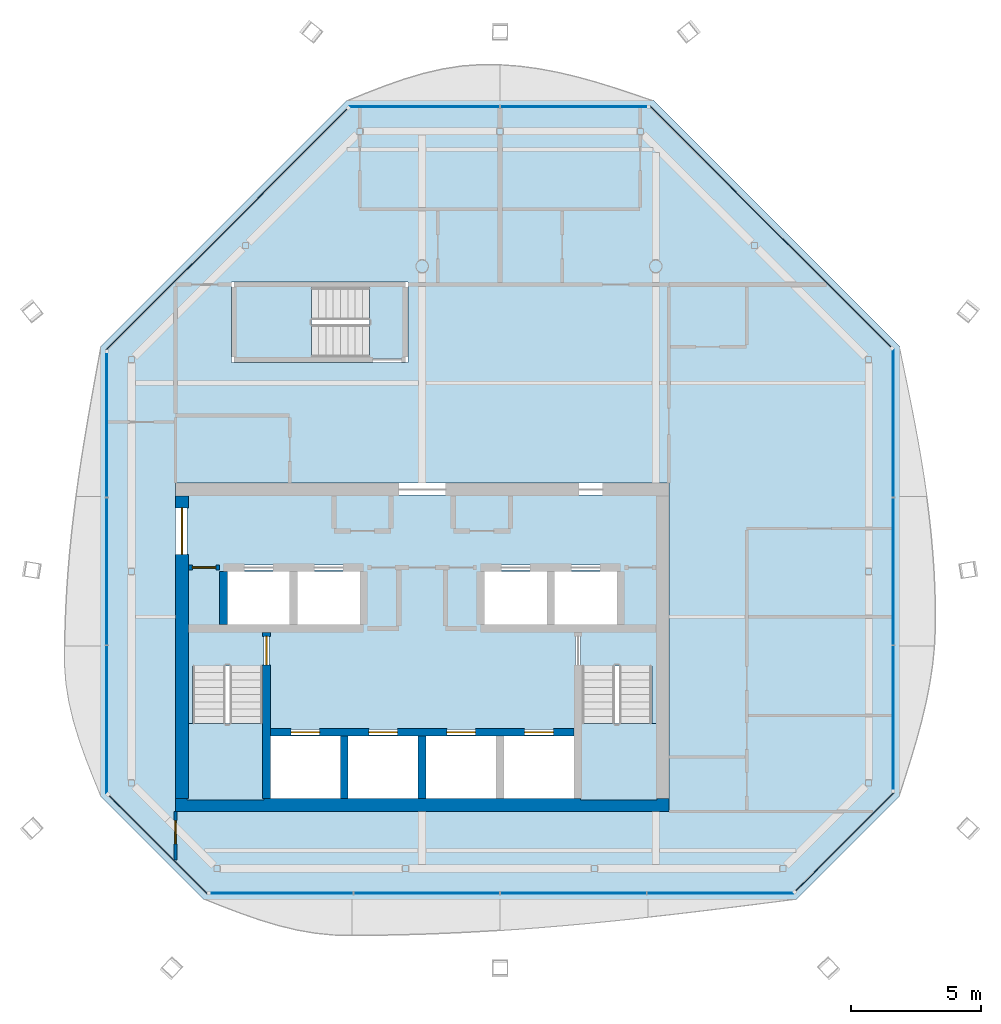
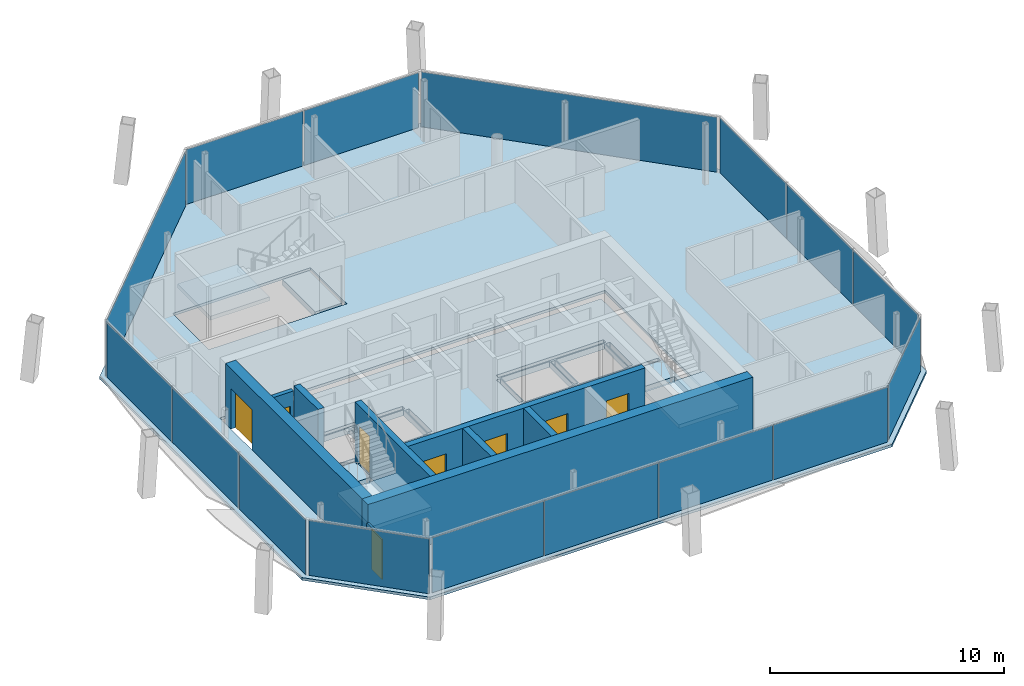
# One storey, part 8 of 13: 16 plates, 9 walls, 8 doors, 6 slabs, 8 openings, 11 elements without a shape of their own.
"""IFC4 building model written with IfcOpenShell, lengths in metres."""

from ifc_helpers import new_model, si_unit, direction, frame, frame_2d, origin, origin_2d, place, context, subcontext, project, spatial, polyline, rectangle, outline, extrude, material, layer, layer_set, type_object, element, fill, aggregate, save


model = new_model("IFC4")

# Units and contexts
model_context = context("Model", 3, precision=1e-05, world=origin(), true_north=direction((0.0, 1.0)))
body_context = subcontext(model_context, "Body", "Model", "MODEL_VIEW")
ifc_project = project(units=[si_unit("LENGTHUNIT", "METRE"), si_unit("AREAUNIT", "SQUARE_METRE"), si_unit("VOLUMEUNIT", "CUBIC_METRE"), si_unit("PLANEANGLEUNIT", "RADIAN"), si_unit("MASSUNIT", "GRAM", prefix="KILO")], contexts=[model_context])

# Site, building, storey
site_placement = place(None, origin())
site = spatial("IfcSite", under=ifc_project, at=site_placement, CompositionType="ELEMENT")
building_placement = place(site_placement, origin())
building = spatial("IfcBuilding", under=site, at=building_placement, Name="Tskaro Facet Tower", CompositionType="ELEMENT")
storey_placement = place(building_placement, frame((0.0, 0.0, 291.0)))
storey = spatial("IfcBuildingStorey", under=building, at=storey_placement, Name="L78", CompositionType="ELEMENT", Elevation=291.0)

# Slab
ifc_material_1 = material(Name="Concrete C30/37", Category="concrete")
ifc_layer_1 = layer(ifc_material_1, 0.139892578125, Name="Concrete C30/37")
ifc_layer_set_1 = layer_set([ifc_layer_1], Name="Concrete C30/37")
slab_type_1 = type_object("IfcSlabType", Name="Composite deck floor slab", PredefinedType="FLOOR", material=ifc_layer_set_1)
slab_1_placement = place(storey_placement, frame((0.0, 0.0, -0.139892578125)))
element("IfcSlab", 1, at=slab_1_placement, inside=storey, type_object=slab_type_1, Name="Floor slab FS3 L78", PredefinedType="FLOOR", context=body_context, shape_type="SweptSolid", body=[
    extrude(outline(polyline([(-8.39990234375, -15.39990234375), (14.39990234375, -15.39990234375), (18.39990234375, -11.39990234375), (18.39990234375, 5.89990234375), (8.89990234375, 15.39990234375), (-2.89990234375, 15.39990234375), (-12.39990234375, 5.89990234375), (-12.39990234375, -11.39990234375), (-8.39990234375, -15.39990234375)]), holes=[polyline([(-9.5, -12.0), (9.5, -12.0), (9.5, 0.64990234375), (-9.5, 0.64990234375), (-9.5, -12.0)]), polyline([(-7.35009765625, 5.300048828125), (-0.550048828125, 5.300048828125), (-0.550048828125, 8.39990234375), (-7.35009765625, 8.39990234375), (-7.35009765625, 5.300048828125)])]), origin(), (0.0, 0.0, 1.0), 0.139892578125),
])

# Curtain wall, plates
ifc_material_2 = material(Name="Bronze anodised aluminium 6063-T6", Category="aluminium")
curtain_wall_type = type_object("IfcCurtainWallType", Name="Bronze residence curtain wall (FW3)", PredefinedType="NOTDEFINED", material=ifc_material_2)
curtain_wall_1_placement = place(storey_placement, origin())
curtain_wall_1 = element("IfcCurtainWall", 2, at=curtain_wall_1_placement, inside=storey, type_object=curtain_wall_type, Name="FW3 south facet L78", PredefinedType="NOTDEFINED")
ifc_material_3 = material(Name="Bronze low-iron glass", Category="glass")
ifc_layer_2 = layer(ifc_material_3, 0.028076171875, Name="Bronze low-iron glass")
ifc_layer_set_2 = layer_set([ifc_layer_2], Name="Bronze low-iron glass")
plate_type = type_object("IfcPlateType", Name="FW3 bronze-tinted unit glazing 28", PredefinedType="CURTAIN_PANEL", material=ifc_layer_set_2)
plate_1_placement = place(storey_placement, frame((-5.41455078125, -15.14990234375, 0.0), z_axis=(0.0, 0.0, 1.0), x_axis=(1.0, 0.0, 0.0)))
plate_1 = element("IfcPlate", 3, at=plate_1_placement, type_object=plate_type, Name="FW3 south glazing 1.1", PredefinedType="CURTAIN_PANEL", context=body_context, shape_type="SweptSolid", body=[
    extrude(rectangle(XDim=5.48291015625, YDim=0.028076171875, at=origin_2d()), origin(), (0.0, 0.0, 1.0), 2.860107421875),
])
plate_2_placement = place(storey_placement, frame((0.176025390625, -15.14990234375, 0.0), z_axis=(0.0, 0.0, 1.0), x_axis=(1.0, 0.0, 0.0)))
plate_2 = element("IfcPlate", 4, at=plate_2_placement, type_object=plate_type, Name="FW3 south glazing 2.1", PredefinedType="CURTAIN_PANEL", context=body_context, shape_type="SweptSolid", body=[
    extrude(rectangle(XDim=5.597900390625, YDim=0.028076171875, at=origin_2d()), origin(), (0.0, 0.0, 1.0), 2.860107421875),
])
plate_3_placement = place(storey_placement, frame((5.823974609375, -15.14990234375, 0.0), z_axis=(0.0, 0.0, 1.0), x_axis=(1.0, 0.0, 0.0)))
plate_3 = element("IfcPlate", 5, at=plate_3_placement, type_object=plate_type, Name="FW3 south glazing 3.1", PredefinedType="CURTAIN_PANEL", context=body_context, shape_type="SweptSolid", body=[
    extrude(rectangle(XDim=5.597900390625, YDim=0.028076171875, at=origin_2d()), origin(), (0.0, 0.0, 1.0), 2.860107421875),
])
plate_4_placement = place(storey_placement, frame((11.484619140625, -15.14990234375, 0.0), z_axis=(0.0, 0.0, 1.0), x_axis=(1.0, 0.0, 0.0)))
plate_4 = element("IfcPlate", 6, at=plate_4_placement, type_object=plate_type, Name="FW3 south glazing 4.1", PredefinedType="CURTAIN_PANEL", context=body_context, shape_type="SweptSolid", body=[
    extrude(rectangle(XDim=5.623046875, YDim=0.028076171875, at=origin_2d()), origin(), (0.0, 0.0, 1.0), 2.860107421875),
])
aggregate(curtain_wall_1, [plate_1, plate_2, plate_3, plate_4])

# Curtain wall, plate
curtain_wall_2_placement = place(storey_placement, origin())
curtain_wall_2 = element("IfcCurtainWall", 7, at=curtain_wall_2_placement, inside=storey, type_object=curtain_wall_type, Name="FW3 south-east facet L78", PredefinedType="NOTDEFINED")
plate_5_placement = place(storey_placement, frame((16.2724609375, -13.173583984375, 0.0), z_axis=(0.0, 0.0, 1.0), x_axis=(0.707106781187, 0.707106781187, 0.0)))
plate_5 = element("IfcPlate", 8, at=plate_5_placement, type_object=plate_type, Name="FW3 south-east glazing 1.1", PredefinedType="CURTAIN_PANEL", context=body_context, shape_type="SweptSolid", body=[
    extrude(rectangle(XDim=5.310302734375, YDim=0.028076171875, at=origin_2d()), origin(), (0.0, 0.0, 1.0), 2.860107421875),
])
aggregate(curtain_wall_2, [plate_5])

# Curtain wall, plates
curtain_wall_3_placement = place(storey_placement, origin())
curtain_wall_3 = element("IfcCurtainWall", 9, at=curtain_wall_3_placement, inside=storey, type_object=curtain_wall_type, Name="FW3 east facet L78", PredefinedType="NOTDEFINED")
plate_6_placement = place(storey_placement, frame((18.14990234375, -8.389892578125, 0.0), z_axis=(0.0, 0.0, 1.0), x_axis=(0.0, 1.0, 0.0)))
plate_6 = element("IfcPlate", 10, at=plate_6_placement, type_object=plate_type, Name="FW3 east glazing 1.1", PredefinedType="CURTAIN_PANEL", context=body_context, shape_type="SweptSolid", body=[
    extrude(rectangle(XDim=5.5322265625, YDim=0.028076171875, at=origin_2d()), origin(), (0.0, 0.0, 1.0), 2.860107421875),
])
plate_7_placement = place(storey_placement, frame((18.14990234375, -2.75, 0.0), z_axis=(0.0, 0.0, 1.0), x_axis=(0.0, 1.0, 0.0)))
plate_7 = element("IfcPlate", 11, at=plate_7_placement, type_object=plate_type, Name="FW3 east glazing 2.1", PredefinedType="CURTAIN_PANEL", context=body_context, shape_type="SweptSolid", body=[
    extrude(rectangle(XDim=5.647216796875, YDim=0.028076171875, at=origin_2d()), origin(), (0.0, 0.0, 1.0), 2.860107421875),
])
plate_8_placement = place(storey_placement, frame((18.14990234375, 2.959716796875, 0.0), z_axis=(0.0, 0.0, 1.0), x_axis=(0.0, 1.0, 0.0)))
plate_8 = element("IfcPlate", 12, at=plate_8_placement, type_object=plate_type, Name="FW3 east glazing 3.1", PredefinedType="CURTAIN_PANEL", context=body_context, shape_type="SweptSolid", body=[
    extrude(rectangle(XDim=5.67236328125, YDim=0.028076171875, at=origin_2d()), origin(), (0.0, 0.0, 1.0), 2.860107421875),
])
aggregate(curtain_wall_3, [plate_6, plate_7, plate_8])

# Curtain wall, plate
curtain_wall_4_placement = place(storey_placement, origin())
curtain_wall_4 = element("IfcCurtainWall", 13, at=curtain_wall_4_placement, inside=storey, type_object=curtain_wall_type, Name="FW3 north-east facet L78", PredefinedType="NOTDEFINED")
plate_9_placement = place(storey_placement, frame((13.423583984375, 10.5224609375, 0.0), z_axis=(0.0, 0.0, 1.0), x_axis=(-0.707106781187, 0.707106781187, 0.0)))
plate_9 = element("IfcPlate", 14, at=plate_9_placement, type_object=plate_type, Name="FW3 north-east glazing 1.1", PredefinedType="CURTAIN_PANEL", context=body_context, shape_type="SweptSolid", body=[
    extrude(rectangle(XDim=13.088623046875, YDim=0.028076171875, at=origin_2d()), origin(), (0.0, 0.0, 1.0), 2.860107421875),
])
aggregate(curtain_wall_4, [plate_9])

# Curtain wall, plates
curtain_wall_5_placement = place(storey_placement, origin())
curtain_wall_5 = element("IfcCurtainWall", 15, at=curtain_wall_5_placement, inside=storey, type_object=curtain_wall_type, Name="FW3 north facet L78", PredefinedType="NOTDEFINED")
plate_10_placement = place(storey_placement, frame((5.840576171875, 15.14990234375, 0.0), z_axis=(0.0, 0.0, 1.0), x_axis=(-1.0, 0.0, 0.0)))
plate_10 = element("IfcPlate", 16, at=plate_10_placement, type_object=plate_type, Name="FW3 north glazing 1.1", PredefinedType="CURTAIN_PANEL", context=body_context, shape_type="SweptSolid", body=[
    extrude(rectangle(XDim=5.631103515625, YDim=0.028076171875, at=origin_2d()), origin(), (0.0, 0.0, 1.0), 2.860107421875),
])
plate_11_placement = place(storey_placement, frame((0.089599609375, 15.14990234375, 0.0), z_axis=(0.0, 0.0, 1.0), x_axis=(-1.0, 0.0, 0.0)))
plate_11 = element("IfcPlate", 17, at=plate_11_placement, type_object=plate_type, Name="FW3 north glazing 2.1", PredefinedType="CURTAIN_PANEL", context=body_context, shape_type="SweptSolid", body=[
    extrude(rectangle(XDim=5.77099609375, YDim=0.028076171875, at=origin_2d()), origin(), (0.0, 0.0, 1.0), 2.860107421875),
])
aggregate(curtain_wall_5, [plate_10, plate_11])

# Curtain wall, plate
curtain_wall_6_placement = place(storey_placement, origin())
curtain_wall_6 = element("IfcCurtainWall", 18, at=curtain_wall_6_placement, inside=storey, type_object=curtain_wall_type, Name="FW3 north-west facet L78", PredefinedType="NOTDEFINED")
plate_12_placement = place(storey_placement, frame((-7.5224609375, 10.423583984375, 0.0), z_axis=(0.0, 0.0, 1.0), x_axis=(-0.707106781187, -0.707106781187, 0.0)))
plate_12 = element("IfcPlate", 19, at=plate_12_placement, type_object=plate_type, Name="FW3 north-west glazing 1.1", PredefinedType="CURTAIN_PANEL", context=body_context, shape_type="SweptSolid", body=[
    extrude(rectangle(XDim=13.088623046875, YDim=0.028076171875, at=origin_2d()), origin(), (0.0, 0.0, 1.0), 2.860107421875),
])
aggregate(curtain_wall_6, [plate_12])

# Curtain wall, plates
curtain_wall_7_placement = place(storey_placement, origin())
curtain_wall_7 = element("IfcCurtainWall", 20, at=curtain_wall_7_placement, inside=storey, type_object=curtain_wall_type, Name="FW3 west facet L78", PredefinedType="NOTDEFINED")
plate_13_placement = place(storey_placement, frame((-12.14990234375, 2.889892578125, 0.0), z_axis=(0.0, 0.0, 1.0), x_axis=(0.0, -1.0, 0.0)))
plate_13 = element("IfcPlate", 21, at=plate_13_placement, type_object=plate_type, Name="FW3 west glazing 1.1", PredefinedType="CURTAIN_PANEL", context=body_context, shape_type="SweptSolid", body=[
    extrude(rectangle(XDim=5.5322265625, YDim=0.028076171875, at=origin_2d()), origin(), (0.0, 0.0, 1.0), 2.860107421875),
])
plate_14_placement = place(storey_placement, frame((-12.14990234375, -2.75, 0.0), z_axis=(0.0, 0.0, 1.0), x_axis=(0.0, -1.0, 0.0)))
plate_14 = element("IfcPlate", 22, at=plate_14_placement, type_object=plate_type, Name="FW3 west glazing 2.1", PredefinedType="CURTAIN_PANEL", context=body_context, shape_type="SweptSolid", body=[
    extrude(rectangle(XDim=5.647216796875, YDim=0.028076171875, at=origin_2d()), origin(), (0.0, 0.0, 1.0), 2.860107421875),
])
plate_15_placement = place(storey_placement, frame((-12.14990234375, -8.459716796875, 0.0), z_axis=(0.0, 0.0, 1.0), x_axis=(0.0, -1.0, 0.0)))
plate_15 = element("IfcPlate", 23, at=plate_15_placement, type_object=plate_type, Name="FW3 west glazing 3.1", PredefinedType="CURTAIN_PANEL", context=body_context, shape_type="SweptSolid", body=[
    extrude(rectangle(XDim=5.67236328125, YDim=0.028076171875, at=origin_2d()), origin(), (0.0, 0.0, 1.0), 2.860107421875),
])
aggregate(curtain_wall_7, [plate_13, plate_14, plate_15])

# Curtain wall, plate
curtain_wall_8_placement = place(storey_placement, origin())
curtain_wall_8 = element("IfcCurtainWall", 24, at=curtain_wall_8_placement, inside=storey, type_object=curtain_wall_type, Name="FW3 south-west facet L78", PredefinedType="NOTDEFINED")
plate_16_placement = place(storey_placement, frame((-10.173583984375, -13.2724609375, 0.0), z_axis=(0.0, 0.0, 1.0), x_axis=(0.707106781187, -0.707106781187, 0.0)))
plate_16 = element("IfcPlate", 25, at=plate_16_placement, type_object=plate_type, Name="FW3 south-west glazing 1.1", PredefinedType="CURTAIN_PANEL", context=body_context, shape_type="SweptSolid", body=[
    extrude(rectangle(XDim=5.310302734375, YDim=0.028076171875, at=origin_2d()), origin(), (0.0, 0.0, 1.0), 2.860107421875),
])
aggregate(curtain_wall_8, [plate_16])

# Stair, slab
ifc_material_4 = material(Name="Concrete C40/50", Category="concrete")
stair_type = type_object("IfcStairType", Name="ST-TWR", PredefinedType="HALF_TURN_STAIR", material=ifc_material_4)
stair_1_placement = place(storey_placement, origin())
stair_1 = element("IfcStair", 26, at=stair_1_placement, inside=storey, type_object=stair_type, Name="L78 Exit stair 1", PredefinedType="HALF_TURN_STAIR")
ifc_layer_3 = layer(ifc_material_4, 0.199951171875, Name="Concrete C40/50")
ifc_layer_set_3 = layer_set([ifc_layer_3], Name="Concrete C40/50")
slab_type_2 = type_object("IfcSlabType", Name="SL-LANDING", PredefinedType="LANDING", material=ifc_layer_set_3)
slab_2_placement = place(storey_placement, frame((0.0, 0.0, 1.375)))
slab_2 = element("IfcSlab", 27, at=slab_2_placement, type_object=slab_type_2, Name="ST-1 landing 1", PredefinedType="LANDING", context=body_context, shape_type="SweptSolid", body=[
    extrude(outline(polyline([(-9.050048828125, -11.550048828125), (-6.10009765625, -11.550048828125), (-6.10009765625, -8.614990234375), (-9.050048828125, -8.614990234375), (-9.050048828125, -11.550048828125)])), origin(), (0.0, 0.0, 1.0), 0.199951171875),
])
aggregate(stair_1, [slab_2])

stair_2_placement = place(storey_placement, origin())
stair_2 = element("IfcStair", 28, at=stair_2_placement, inside=storey, type_object=stair_type, Name="L78 Exit stair 2", PredefinedType="HALF_TURN_STAIR")
slab_3_placement = place(storey_placement, frame((0.0, 0.0, 1.375)))
slab_3 = element("IfcSlab", 29, at=slab_3_placement, type_object=slab_type_2, Name="ST-2 landing 1", PredefinedType="LANDING", context=body_context, shape_type="SweptSolid", body=[
    extrude(outline(polyline([(6.10009765625, -11.550048828125), (9.050048828125, -11.550048828125), (9.050048828125, -8.614990234375), (6.10009765625, -8.614990234375), (6.10009765625, -11.550048828125)])), origin(), (0.0, 0.0, 1.0), 0.199951171875),
])
aggregate(stair_2, [slab_3])

stair_3_placement = place(storey_placement, origin())
stair_3 = element("IfcStair", 30, at=stair_3_placement, inside=storey, type_object=stair_type, Name="L78 Exit stair 3", PredefinedType="HALF_TURN_STAIR")
slab_4_placement = place(storey_placement, frame((0.0, 0.0, 1.375)))
slab_4 = element("IfcSlab", 31, at=slab_4_placement, type_object=slab_type_2, Name="ST-3 landing 1", PredefinedType="LANDING", context=body_context, shape_type="SweptSolid", body=[
    extrude(outline(polyline([(-7.199951171875, 5.449951171875), (-4.264892578125, 5.449951171875), (-4.264892578125, 8.25), (-7.199951171875, 8.25), (-7.199951171875, 5.449951171875)])), origin(), (0.0, 0.0, 1.0), 0.199951171875),
])
aggregate(stair_3, [slab_4])

# Slabs
ifc_material_5 = material(Name="Concrete C60/75", Category="concrete")
ifc_layer_4 = layer(ifc_material_5, 0.300048828125, Name="Concrete C60/75")
ifc_layer_set_4 = layer_set([ifc_layer_4], Name="Concrete C60/75")
slab_type_3 = type_object("IfcSlabType", Name="SLAB-CORE", PredefinedType="FLOOR", material=ifc_layer_set_4)
slab_5_placement = place(storey_placement, frame((0.0, 0.0, -0.300048828125)))
element("IfcSlab", 32, at=slab_5_placement, inside=storey, type_object=slab_type_3, Name="Core floor slab 1", PredefinedType="FLOOR", context=body_context, shape_type="SweptSolid", body=[
    extrude(outline(polyline([(-9.050048828125, 0.199951171875), (9.050048828125, 0.199951171875), (9.050048828125, 0.10009765625), (9.050048828125, -11.449951171875), (9.050048828125, -11.550048828125), (-9.050048828125, -11.550048828125), (-9.050048828125, -11.449951171875), (-9.050048828125, 0.10009765625), (-9.050048828125, 0.199951171875)]), holes=[polyline([(-5.85009765625, -9.10009765625), (-5.85009765625, -11.5), (-3.14990234375, -11.5), (-3.14990234375, -9.10009765625), (-5.85009765625, -9.10009765625)]), polyline([(-3.10009765625, -11.449951171875), (-2.89990234375, -11.449951171875), (-2.89990234375, -9.14990234375), (-3.10009765625, -9.14990234375), (-3.10009765625, -11.449951171875)]), polyline([(-2.85009765625, -9.10009765625), (-2.85009765625, -11.5), (-0.14990234375, -11.5), (-0.14990234375, -9.10009765625), (-2.85009765625, -9.10009765625)]), polyline([(-6.10009765625, -11.449951171875), (-5.89990234375, -11.449951171875), (-5.89990234375, -5.14990234375), (-6.10009765625, -5.14990234375), (-6.10009765625, -11.449951171875)]), polyline([(-8.949951171875, -5.050048828125), (-2.300048828125, -5.050048828125), (-2.300048828125, -4.85009765625), (-8.949951171875, -4.85009765625), (-8.949951171875, -5.050048828125)]), polyline([(-7.75, -4.75), (-7.550048828125, -4.75), (-7.550048828125, -2.800048828125), (-7.75, -2.800048828125), (-7.75, -4.75)]), polyline([(-7.5, -4.800048828125), (-5.10009765625, -4.800048828125), (-5.10009765625, -2.75), (-7.5, -2.75), (-7.5, -4.800048828125)]), polyline([(-5.050048828125, -4.75), (-4.85009765625, -4.75), (-4.85009765625, -2.800048828125), (-5.050048828125, -2.800048828125), (-5.050048828125, -4.75)]), polyline([(-2.39990234375, -2.75), (-4.800048828125, -2.75), (-4.800048828125, -4.800048828125), (-2.39990234375, -4.800048828125), (-2.39990234375, -2.75)]), polyline([(-2.35009765625, -4.75), (-2.14990234375, -4.75), (-2.14990234375, -2.800048828125), (-2.35009765625, -2.800048828125), (-2.35009765625, -4.75)]), polyline([(-7.60009765625, -2.699951171875), (-2.300048828125, -2.699951171875), (-2.300048828125, -2.5), (-7.60009765625, -2.5), (-7.60009765625, -2.699951171875)]), polyline([(-0.10009765625, -11.449951171875), (0.10009765625, -11.449951171875), (0.10009765625, -9.14990234375), (-0.10009765625, -9.14990234375), (-0.10009765625, -11.449951171875)]), polyline([(0.14990234375, -9.10009765625), (0.14990234375, -11.5), (2.85009765625, -11.5), (2.85009765625, -9.10009765625), (0.14990234375, -9.10009765625)]), polyline([(2.89990234375, -11.449951171875), (3.10009765625, -11.449951171875), (3.10009765625, -9.14990234375), (2.89990234375, -9.14990234375), (2.89990234375, -11.449951171875)]), polyline([(3.14990234375, -9.10009765625), (3.14990234375, -11.5), (5.85009765625, -11.5), (5.85009765625, -9.10009765625), (3.14990234375, -9.10009765625)]), polyline([(-5.800048828125, -9.050048828125), (5.800048828125, -9.050048828125), (5.800048828125, -8.85009765625), (-5.800048828125, -8.85009765625), (-5.800048828125, -9.050048828125)]), polyline([(5.89990234375, -11.449951171875), (6.10009765625, -11.449951171875), (6.10009765625, -5.14990234375), (5.89990234375, -5.14990234375), (5.89990234375, -11.449951171875)]), polyline([(2.300048828125, -5.050048828125), (8.949951171875, -5.050048828125), (8.949951171875, -4.85009765625), (2.300048828125, -4.85009765625), (2.300048828125, -5.050048828125)]), polyline([(2.14990234375, -4.75), (2.35009765625, -4.75), (2.35009765625, -2.800048828125), (2.14990234375, -2.800048828125), (2.14990234375, -4.75)]), polyline([(4.800048828125, -2.75), (2.39990234375, -2.75), (2.39990234375, -4.800048828125), (4.800048828125, -4.800048828125), (4.800048828125, -2.75)]), polyline([(4.85009765625, -4.75), (5.050048828125, -4.75), (5.050048828125, -2.800048828125), (4.85009765625, -2.800048828125), (4.85009765625, -4.75)]), polyline([(7.5, -2.75), (5.10009765625, -2.75), (5.10009765625, -4.800048828125), (7.5, -4.800048828125), (7.5, -2.75)]), polyline([(7.550048828125, -4.75), (7.75, -4.75), (7.75, -2.800048828125), (7.550048828125, -2.800048828125), (7.550048828125, -4.75)]), polyline([(2.300048828125, -2.699951171875), (7.60009765625, -2.699951171875), (7.60009765625, -2.5), (2.300048828125, -2.5), (2.300048828125, -2.699951171875)]), polyline([(-8.85009765625, -11.5), (-6.14990234375, -11.5), (-6.14990234375, -6.39501953125), (-8.85009765625, -6.39501953125), (-8.85009765625, -11.5)]), polyline([(6.14990234375, -6.39501953125), (6.14990234375, -11.5), (8.85009765625, -11.5), (8.85009765625, -6.39501953125), (6.14990234375, -6.39501953125)])]), origin(), (0.0, 0.0, 1.0), 0.300048828125),
])
slab_6_placement = place(storey_placement, frame((0.0, 0.0, -0.300048828125)))
element("IfcSlab", 33, at=slab_6_placement, inside=storey, type_object=slab_type_3, Name="Stair 3 floor landing 1", PredefinedType="FLOOR", context=body_context, shape_type="SweptSolid", body=[
    extrude(outline(polyline([(-2.02490234375, 5.449951171875), (-0.699951171875, 5.449951171875), (-0.699951171875, 8.25), (-2.02490234375, 8.25), (-2.02490234375, 5.449951171875)])), origin(), (0.0, 0.0, 1.0), 0.300048828125),
])

# Wall, openings, doors
ifc_layer_5 = layer(ifc_material_5, 0.300048828125, Name="Concrete C60/75")
ifc_layer_set_5 = layer_set([ifc_layer_5], Name="Concrete C60/75")
wall_type_1 = type_object("IfcWallType", Name="CORE-SHAFT", PredefinedType="SHEAR", material=ifc_layer_set_5)
wall_1_placement = place(storey_placement, frame((-5.85009765625, -8.949951171875, 0.0), z_axis=(0.0, 0.0, 1.0), x_axis=(1.0, 0.0, 0.0)))
wall_1 = element("IfcWall", 34, at=wall_1_placement, inside=storey, type_object=wall_type_1, Name="Shaft wall W003", PredefinedType="SHEAR", context=body_context, shape_type="SweptSolid", body=[
    extrude(rectangle(XDim=11.7001953125, YDim=0.300048828125, at=frame_2d((5.85009765625, 0.0))), origin(), (0.0, 0.0, 1.0), 3.14990234375),
])
opening_1_placement = place(wall_1_placement, frame((0.800048828125, 0.0, 0.0)))
opening_1 = element("IfcOpeningElement", 35, at=opening_1_placement, cuts=wall_1, Name="Opening LD-FF1", PredefinedType="OPENING", context=body_context, shape_type="SweptSolid", body=[
    extrude(rectangle(XDim=1.10009765625, YDim=2.10009765625, at=frame_2d((0.550048828125, 1.050048828125))), frame((0.0, 0.159912109375, 0.0), z_axis=(0.0, -1.0, 0.0), x_axis=(1.0, 0.0, 0.0)), (0.0, 0.0, 1.0), 0.320068359375),
])
opening_2_placement = place(wall_1_placement, frame((3.800048828125, 0.0, 0.0)))
opening_2 = element("IfcOpeningElement", 36, at=opening_2_placement, cuts=wall_1, Name="Opening LD-FF2", PredefinedType="OPENING", context=body_context, shape_type="SweptSolid", body=[
    extrude(rectangle(XDim=1.10009765625, YDim=2.10009765625, at=frame_2d((0.550048828125, 1.050048828125))), frame((0.0, 0.159912109375, 0.0), z_axis=(0.0, -1.0, 0.0), x_axis=(1.0, 0.0, 0.0)), (0.0, 0.0, 1.0), 0.320068359375),
])
opening_3_placement = place(wall_1_placement, frame((6.800048828125, 0.0, 0.0)))
opening_3 = element("IfcOpeningElement", 37, at=opening_3_placement, cuts=wall_1, Name="Opening LD-SV1", PredefinedType="OPENING", context=body_context, shape_type="SweptSolid", body=[
    extrude(rectangle(XDim=1.10009765625, YDim=2.10009765625, at=frame_2d((0.550048828125, 1.050048828125))), frame((0.0, 0.159912109375, 0.0), z_axis=(0.0, -1.0, 0.0), x_axis=(1.0, 0.0, 0.0)), (0.0, 0.0, 1.0), 0.320068359375),
])
opening_4_placement = place(wall_1_placement, frame((9.800048828125, 0.0, 0.0)))
opening_4 = element("IfcOpeningElement", 38, at=opening_4_placement, cuts=wall_1, Name="Opening LD-SV2", PredefinedType="OPENING", context=body_context, shape_type="SweptSolid", body=[
    extrude(rectangle(XDim=1.10009765625, YDim=2.10009765625, at=frame_2d((0.550048828125, 1.050048828125))), frame((0.0, 0.159912109375, 0.0), z_axis=(0.0, -1.0, 0.0), x_axis=(1.0, 0.0, 0.0)), (0.0, 0.0, 1.0), 0.320068359375),
])
ifc_material_6 = material(Name="Stainless steel", Category="steel")
door_type_1 = type_object("IfcDoorType", Name="D-LANDING", OperationType="NOTDEFINED", PredefinedType="DOOR", material=ifc_material_6)
door_1_placement = place(opening_1_placement, origin())
door_1 = element("IfcDoor", 39, at=door_1_placement, inside=storey, type_object=door_type_1, Name="Landing door FF1", OperationType="DOUBLE_DOOR_SLIDING", OverallHeight=2.10009765625, OverallWidth=1.10009765625, PredefinedType="DOOR", context=body_context, shape_type="SweptSolid", body=[
    extrude(rectangle(XDim=1.10009765625, YDim=2.10009765625, at=frame_2d((0.550048828125, 1.050048828125))), frame((0.0, 0.02490234375, 0.0), z_axis=(0.0, -1.0, 0.0), x_axis=(1.0, 0.0, 0.0)), (0.0, 0.0, 1.0), 0.050048828125),
])
fill(opening_1, door_1)
door_2_placement = place(opening_2_placement, origin())
door_2 = element("IfcDoor", 40, at=door_2_placement, inside=storey, type_object=door_type_1, Name="Landing door FF2", OperationType="DOUBLE_DOOR_SLIDING", OverallHeight=2.10009765625, OverallWidth=1.10009765625, PredefinedType="DOOR", context=body_context, shape_type="SweptSolid", body=[
    extrude(rectangle(XDim=1.10009765625, YDim=2.10009765625, at=frame_2d((0.550048828125, 1.050048828125))), frame((0.0, 0.02490234375, 0.0), z_axis=(0.0, -1.0, 0.0), x_axis=(1.0, 0.0, 0.0)), (0.0, 0.0, 1.0), 0.050048828125),
])
fill(opening_2, door_2)
door_3_placement = place(opening_3_placement, origin())
door_3 = element("IfcDoor", 41, at=door_3_placement, inside=storey, type_object=door_type_1, Name="Landing door SV1", OperationType="DOUBLE_DOOR_SLIDING", OverallHeight=2.10009765625, OverallWidth=1.10009765625, PredefinedType="DOOR", context=body_context, shape_type="SweptSolid", body=[
    extrude(rectangle(XDim=1.10009765625, YDim=2.10009765625, at=frame_2d((0.550048828125, 1.050048828125))), frame((0.0, 0.02490234375, 0.0), z_axis=(0.0, -1.0, 0.0), x_axis=(1.0, 0.0, 0.0)), (0.0, 0.0, 1.0), 0.050048828125),
])
fill(opening_3, door_3)
door_4_placement = place(opening_4_placement, origin())
door_4 = element("IfcDoor", 42, at=door_4_placement, inside=storey, type_object=door_type_1, Name="Landing door SV2", OperationType="DOUBLE_DOOR_SLIDING", OverallHeight=2.10009765625, OverallWidth=1.10009765625, PredefinedType="DOOR", context=body_context, shape_type="SweptSolid", body=[
    extrude(rectangle(XDim=1.10009765625, YDim=2.10009765625, at=frame_2d((0.550048828125, 1.050048828125))), frame((0.0, 0.02490234375, 0.0), z_axis=(0.0, -1.0, 0.0), x_axis=(1.0, 0.0, 0.0)), (0.0, 0.0, 1.0), 0.050048828125),
])
fill(opening_4, door_4)

# Wall
wall_2_placement = place(storey_placement, frame((-7.64990234375, -4.800048828125, 0.0), z_axis=(0.0, 0.0, 1.0), x_axis=(0.0, 1.0, 0.0)))
element("IfcWall", 43, at=wall_2_placement, inside=storey, type_object=wall_type_1, Name="Shaft wall W030", PredefinedType="SHEAR", context=body_context, shape_type="SweptSolid", body=[
    extrude(rectangle(XDim=2.050048828125, YDim=0.300048828125, at=frame_2d((1.02490234375, 0.0))), origin(), (0.0, 0.0, 1.0), 3.14990234375),
])

# Wall, opening, door
wall_3_placement = place(storey_placement, frame((-6.0, -11.5, 0.0), z_axis=(0.0, 0.0, 1.0), x_axis=(0.0, 1.0, 0.0)))
wall_3 = element("IfcWall", 44, at=wall_3_placement, inside=storey, type_object=wall_type_1, Name="Shaft wall W032", PredefinedType="SHEAR", context=body_context, shape_type="SweptSolid", body=[
    extrude(rectangle(XDim=6.39990234375, YDim=0.300048828125, at=frame_2d((3.199951171875, 0.0))), origin(), (0.0, 0.0, 1.0), 3.14990234375),
])
opening_5_placement = place(wall_3_placement, frame((5.14990234375, 0.0, 0.0)))
opening_5 = element("IfcOpeningElement", 45, at=opening_5_placement, cuts=wall_3, Name="Opening ST-1-D1", PredefinedType="OPENING", context=body_context, shape_type="SweptSolid", body=[
    extrude(rectangle(XDim=1.10009765625, YDim=2.10009765625, at=frame_2d((0.550048828125, 1.050048828125))), frame((0.0, 0.159912109375, 0.0), z_axis=(0.0, -1.0, 0.0), x_axis=(1.0, 0.0, 0.0)), (0.0, 0.0, 1.0), 0.320068359375),
])
ifc_material_7 = material(Name="Steel", Category="steel")
door_type_2 = type_object("IfcDoorType", Name="D-STAIR", OperationType="NOTDEFINED", PredefinedType="DOOR", material=ifc_material_7)
door_5_placement = place(opening_5_placement, origin())
door_5 = element("IfcDoor", 46, at=door_5_placement, inside=storey, type_object=door_type_2, Name="Stair door 1", OperationType="SINGLE_SWING_LEFT", OverallHeight=2.10009765625, OverallWidth=1.10009765625, PredefinedType="DOOR", context=body_context, shape_type="SweptSolid", body=[
    extrude(rectangle(XDim=1.10009765625, YDim=2.10009765625, at=frame_2d((0.550048828125, 1.050048828125))), frame((0.0, 0.02490234375, 0.0), z_axis=(0.0, -1.0, 0.0), x_axis=(1.0, 0.0, 0.0)), (0.0, 0.0, 1.0), 0.050048828125),
])
fill(opening_5, door_5)

# Walls
for number, where, z_axis, x_axis, name in (
    (47, (-3.0, -11.5, 0.0), (0.0, 0.0, 1.0), (0.0, 1.0, 0.0), "Shaft wall W036"),
    (48, (0.0, -11.5, 0.0), (0.0, 0.0, 1.0), (0.0, 1.0, 0.0), "Shaft wall W043"),
):
    element("IfcWall", number, at=place(storey_placement, frame(where, z_axis=z_axis, x_axis=x_axis)), inside=storey, type_object=wall_type_1, Name=name, PredefinedType="SHEAR", context=body_context, shape_type="SweptSolid", body=[
        extrude(rectangle(XDim=2.39990234375, YDim=0.300048828125, at=frame_2d((1.199951171875, 0.0))), origin(), (0.0, 0.0, 1.0), 3.14990234375),
    ])

# Wall, opening, door
ifc_material_8 = material(Name="Concrete C20/25", Category="concrete")
ifc_layer_6 = layer(ifc_material_8, 0.199951171875, Name="Concrete C20/25")
ifc_layer_set_6 = layer_set([ifc_layer_6], Name="Concrete C20/25")
wall_type_2 = type_object("IfcWallType", Name="CORE-WALL", PredefinedType="SOLIDWALL", material=ifc_layer_set_6)
wall_4_placement = place(storey_placement, frame((-7.800048828125, -2.60009765625, 0.0), z_axis=(0.0, 0.0, 1.0), x_axis=(-1.0, 0.0, 0.0)))
wall_4 = element("IfcWall", 49, at=wall_4_placement, inside=storey, type_object=wall_type_2, Name="Core room wall W010", PredefinedType="SOLIDWALL", context=body_context, shape_type="SweptSolid", body=[
    extrude(rectangle(XDim=1.199951171875, YDim=0.199951171875, at=frame_2d((0.60009765625, 0.0))), origin(), (0.0, 0.0, 1.0), 2.85009765625),
])
opening_6_placement = place(wall_4_placement, frame((0.14990234375, 0.0, 0.0)))
opening_6 = element("IfcOpeningElement", 50, at=opening_6_placement, cuts=wall_4, Name="Opening T23-D05", PredefinedType="OPENING", context=body_context, shape_type="SweptSolid", body=[
    extrude(rectangle(XDim=0.89990234375, YDim=2.10009765625, at=frame_2d((0.449951171875, 1.050048828125))), frame((0.0, 0.10986328125, 0.0), z_axis=(0.0, -1.0, 0.0), x_axis=(1.0, 0.0, 0.0)), (0.0, 0.0, 1.0), 0.219970703125),
])
ifc_material_9 = material(Name="Timber", Category="wood")
door_type_3 = type_object("IfcDoorType", Name="D-ROOM", OperationType="NOTDEFINED", PredefinedType="DOOR", material=ifc_material_9)
door_6_placement = place(opening_6_placement, origin())
door_6 = element("IfcDoor", 51, at=door_6_placement, inside=storey, type_object=door_type_3, Name="Door T23-D05", OperationType="SINGLE_SWING_RIGHT", OverallHeight=2.10009765625, OverallWidth=0.89990234375, PredefinedType="DOOR", context=body_context, shape_type="SweptSolid", body=[
    extrude(rectangle(XDim=0.89990234375, YDim=2.10009765625, at=frame_2d((0.449951171875, 1.050048828125))), frame((0.0, 0.02490234375, 0.0), z_axis=(0.0, -1.0, 0.0), x_axis=(1.0, 0.0, 0.0)), (0.0, 0.0, 1.0), 0.050048828125),
])
fill(opening_6, door_6)

# Wall
ifc_layer_7 = layer(ifc_material_4, 0.5, Name="Concrete C40/50")
ifc_layer_set_7 = layer_set([ifc_layer_7], Name="Concrete C40/50")
wall_type_3 = type_object("IfcWallType", Name="Core wall 500", PredefinedType="SHEAR", material=ifc_layer_set_7)
wall_5_placement = place(storey_placement, frame((-9.5, -11.75, 0.0), z_axis=(0.0, 0.0, 1.0), x_axis=(1.0, 0.0, 0.0)))
element("IfcWall", 52, at=wall_5_placement, inside=storey, type_object=wall_type_3, Name="Core wall CW-Z3S", PredefinedType="SHEAR", context=body_context, shape_type="SweptSolid", body=[
    extrude(rectangle(XDim=19.0, YDim=0.5, at=frame_2d((9.5, 0.0))), origin(), (0.0, 0.0, 1.0), 3.14990234375),
])

# Wall, opening, door
wall_6_placement = place(storey_placement, frame((-9.25, -11.5, 0.0), z_axis=(0.0, 0.0, 1.0), x_axis=(0.0, 1.0, 0.0)))
wall_6 = element("IfcWall", 53, at=wall_6_placement, inside=storey, type_object=wall_type_3, Name="Core wall CW-Z3W", PredefinedType="SHEAR", context=body_context, shape_type="SweptSolid", body=[
    extrude(rectangle(XDim=11.64990234375, YDim=0.5, at=frame_2d((5.824951171875, 0.0))), origin(), (0.0, 0.0, 1.0), 3.14990234375),
])
opening_7_placement = place(wall_6_placement, frame((9.39990234375, 0.0, 0.0)))
opening_7 = element("IfcOpeningElement", 54, at=opening_7_placement, cuts=wall_6, Name="Opening T23-D09", PredefinedType="OPENING", context=body_context, shape_type="SweptSolid", body=[
    extrude(rectangle(XDim=1.800048828125, YDim=2.10009765625, at=frame_2d((0.89990234375, 1.050048828125))), frame((0.0, 0.260009765625, 0.0), z_axis=(0.0, -1.0, 0.0), x_axis=(1.0, 0.0, 0.0)), (0.0, 0.0, 1.0), 0.52001953125),
])
door_type_4 = type_object("IfcDoorType", Name="D-CORE-PAIR", OperationType="NOTDEFINED", PredefinedType="DOOR", material=ifc_material_7)
door_7_placement = place(opening_7_placement, origin())
door_7 = element("IfcDoor", 55, at=door_7_placement, inside=storey, type_object=door_type_4, Name="Door T23-D09", OperationType="DOUBLE_DOOR_SINGLE_SWING", OverallHeight=2.10009765625, OverallWidth=1.800048828125, PredefinedType="DOOR", context=body_context, shape_type="SweptSolid", body=[
    extrude(rectangle(XDim=1.800048828125, YDim=2.10009765625, at=frame_2d((0.89990234375, 1.050048828125))), frame((0.0, 0.02490234375, 0.0), z_axis=(0.0, -1.0, 0.0), x_axis=(1.0, 0.0, 0.0)), (0.0, 0.0, 1.0), 0.050048828125),
])
fill(opening_7, door_7)

ifc_material_10 = material(Name="Gypsum board on steel studs", Category="steel")
ifc_layer_8 = layer(ifc_material_10, 0.125, Name="Gypsum board on steel studs")
ifc_layer_set_8 = layer_set([ifc_layer_8], Name="Gypsum board on steel studs")
wall_type_4 = type_object("IfcWallType", Name="PART", PredefinedType="PARTITIONING", material=ifc_layer_set_8)
wall_7_placement = place(storey_placement, frame((-9.5, -12.0, 0.0), z_axis=(0.0, 0.0, 1.0), x_axis=(0.0, -1.0, 0.0)))
wall_7 = element("IfcWall", 56, at=wall_7_placement, inside=storey, type_object=wall_type_4, Name="Partition W027", PredefinedType="PARTITIONING", context=body_context, shape_type="SweptSolid", body=[
    extrude(rectangle(XDim=1.8759765625, YDim=0.125, at=frame_2d((0.93798828125, 0.0))), origin(), (0.0, 0.0, 1.0), 2.2099609375),
])
opening_8_placement = place(wall_7_placement, frame((0.35009765625, 0.0, 0.0)))
opening_8 = element("IfcOpeningElement", 57, at=opening_8_placement, cuts=wall_7, Name="Opening T23-D01", PredefinedType="OPENING", context=body_context, shape_type="SweptSolid", body=[
    extrude(rectangle(XDim=0.89990234375, YDim=2.10009765625, at=frame_2d((0.449951171875, 1.050048828125))), frame((0.0, 0.072509765625, 0.0), z_axis=(0.0, -1.0, 0.0), x_axis=(1.0, 0.0, 0.0)), (0.0, 0.0, 1.0), 0.14501953125),
])
door_8_placement = place(opening_8_placement, origin())
door_8 = element("IfcDoor", 58, at=door_8_placement, inside=storey, type_object=door_type_3, Name="Door T23-D01", OperationType="SINGLE_SWING_RIGHT", OverallHeight=2.10009765625, OverallWidth=0.89990234375, PredefinedType="DOOR", context=body_context, shape_type="SweptSolid", body=[
    extrude(rectangle(XDim=0.89990234375, YDim=2.10009765625, at=frame_2d((0.449951171875, 1.050048828125))), frame((0.0, 0.02490234375, 0.0), z_axis=(0.0, -1.0, 0.0), x_axis=(1.0, 0.0, 0.0)), (0.0, 0.0, 1.0), 0.050048828125),
])
fill(opening_8, door_8)

save(model, "model.ifc")
